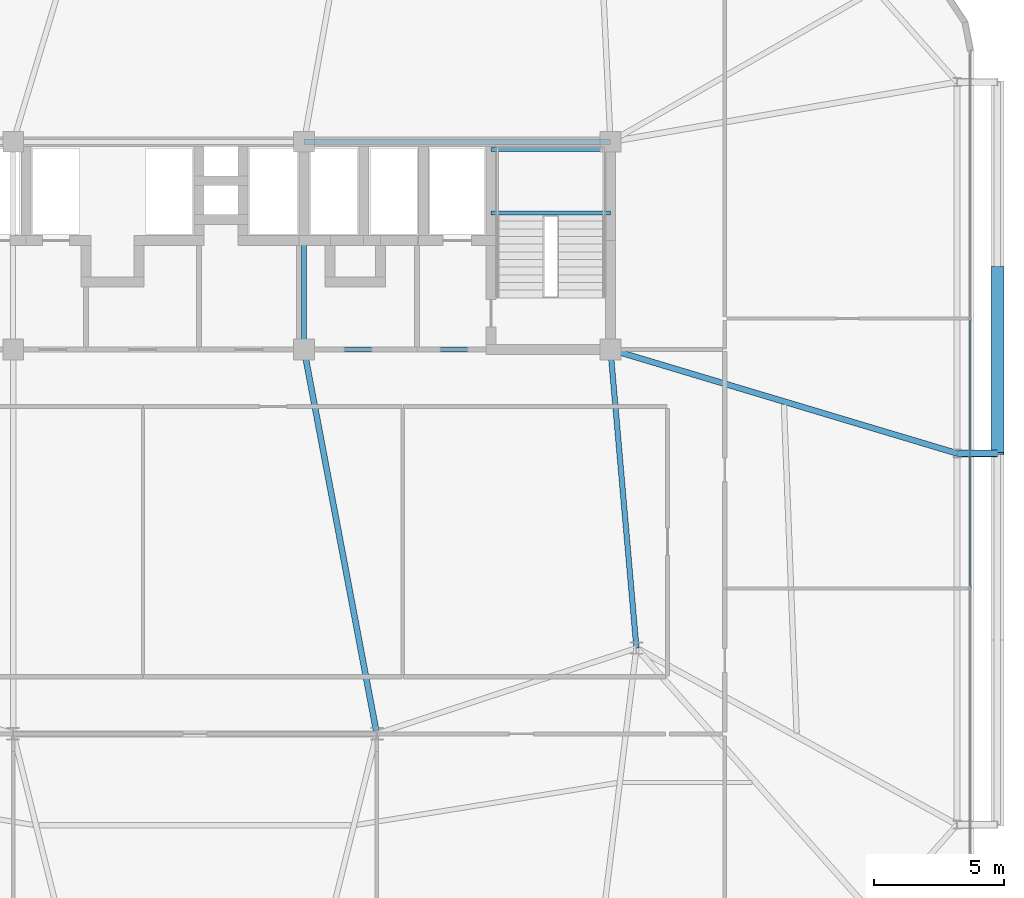
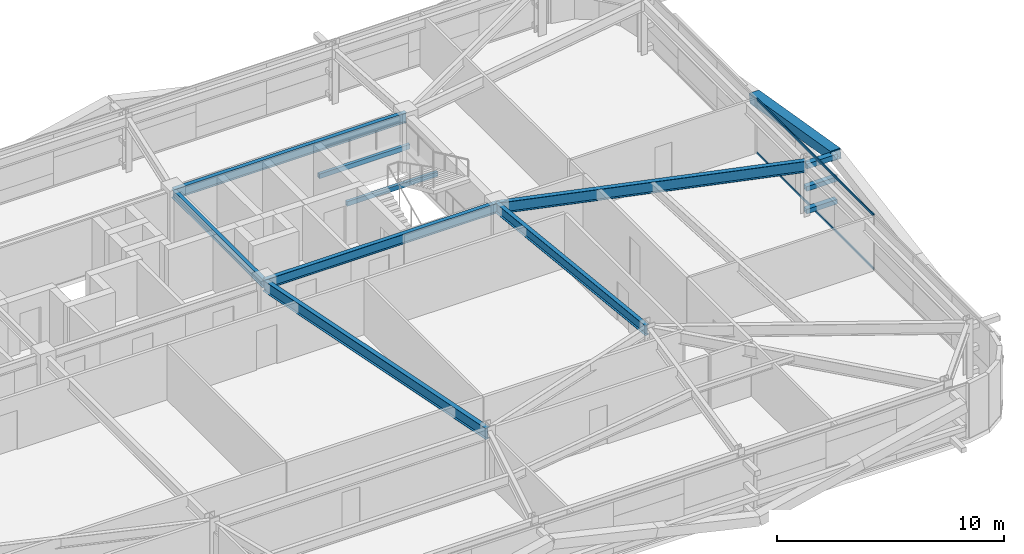
# One storey, part 18 of 44: 8 beams, 6 members, 1 element without a shape of its own.
"""IFC4 building model written with IfcOpenShell, lengths in metres."""

from ifc_helpers import new_model, si_unit, direction, frame, origin, origin_2d, place, context, subcontext, project, spatial, hollow_rectangle, i_section, extrude, source, transform, mapped, material, layer, layer_set, material_profile, profile_set, type_object, element, aggregate, save


model = new_model("IFC4")

# Units and contexts
model_context = context("Model", 3, precision=1e-05, world=origin(), true_north=direction((0.0, 1.0)))
body_context = subcontext(model_context, "Body", "Model", "MODEL_VIEW")
ifc_project = project(units=[si_unit("LENGTHUNIT", "METRE"), si_unit("AREAUNIT", "SQUARE_METRE"), si_unit("VOLUMEUNIT", "CUBIC_METRE"), si_unit("PLANEANGLEUNIT", "RADIAN"), si_unit("MASSUNIT", "GRAM", prefix="KILO")], contexts=[model_context])

# Site, building, storey
site_placement = place(None, origin())
site = spatial("IfcSite", under=ifc_project, at=site_placement, CompositionType="ELEMENT")
building_placement = place(site_placement, origin())
building = spatial("IfcBuilding", under=site, at=building_placement, Name="Taldren Reach Tower", CompositionType="ELEMENT")
storey_placement = place(building_placement, frame((0.0, 0.0, 42.0)))
storey = spatial("IfcBuildingStorey", under=building, at=storey_placement, Name="L12", CompositionType="ELEMENT", Elevation=42.0)

# Beams
ifc_material_1 = material(Name="Steel Gr 350 (350PLUS)", Category="steel")
ifc_material_profile_1 = material_profile(ifc_material_1, i_section(OverallWidth=0.208984375, OverallDepth=0.532958984375, WebThickness=0.01025390625, FlangeThickness=0.015625, at=origin_2d()), Name="530UB92.4")
ifc_profile_set_1 = profile_set([ifc_material_profile_1], Name="Steel Gr 350 (350PLUS)")
beam_type_1 = type_object("IfcBeamType", Name="BM-UB530A", PredefinedType="BEAM", material=ifc_profile_set_1)
shared_shape_1 = source(origin(), body_context, "Body", "SweptSolid", [
    extrude(i_section(OverallWidth=0.208984375, OverallDepth=0.532958984375, WebThickness=0.01025390625, FlangeThickness=0.015625, at=origin_2d()), origin(), (0.0, 0.0, 1.0), 11.800048828125),
])
for number, where, z_axis, x_axis, name in (
    (1, (39.199951171875, 24.0, 2.66357421875), (1.0, 0.0, 0.0), (0.0, 1.0, 0.0), "Core-spine girder L12-SP03"),
    (2, (39.199951171875, 32.0, 2.66357421875), (1.0, 0.0, 0.0), (0.0, 1.0, 0.0), "Core-spine girder L12-SP06"),
):
    element("IfcBeam", number, at=place(storey_placement, frame(where, z_axis=z_axis, x_axis=x_axis)), inside=storey, type_object=beam_type_1, Name=name, PredefinedType="BEAM", context=body_context, shape_type="MappedRepresentation", body=[
        mapped(shared_shape_1, transform((0.0, 0.0, 0.0), scale=1.0)),
    ])
ifc_material_profile_2 = material_profile(ifc_material_1, i_section(OverallWidth=0.19091796875, OverallDepth=0.4599609375, WebThickness=0.010009765625, FlangeThickness=0.01611328125, at=origin_2d()), Name="460UB82.1")
ifc_profile_set_2 = profile_set([ifc_material_profile_2], Name="Steel Gr 350 (350PLUS)")
beam_type_2 = type_object("IfcBeamType", Name="BM-UB460A", PredefinedType="BEAM", material=ifc_profile_set_2)
shared_shape_2 = source(origin(), body_context, "Body", "SweptSolid", [
    extrude(i_section(OverallWidth=0.19091796875, OverallDepth=0.4599609375, WebThickness=0.010009765625, FlangeThickness=0.01611328125, at=origin_2d()), origin(), (0.0, 0.0, 1.0), 8.0),
])
beam_1_placement = place(storey_placement, frame((39.199951171875, 24.0, 2.699951171875), z_axis=(0.0, 1.0, 0.0), x_axis=(-1.0, 0.0, 0.0)))
element("IfcBeam", 3, at=beam_1_placement, inside=storey, type_object=beam_type_2, Name="Core-spine girder L12-SP08", PredefinedType="BEAM", context=body_context, shape_type="MappedRepresentation", body=[
    mapped(shared_shape_2, transform((0.0, 0.0, 0.0), scale=1.0)),
])
shared_shape_3 = source(origin(), body_context, "Body", "SweptSolid", [
    extrude(i_section(OverallWidth=0.208984375, OverallDepth=0.532958984375, WebThickness=0.01025390625, FlangeThickness=0.015625, at=origin_2d()), origin(), (0.0, 0.0, 1.0), 11.54345703125),
])
beam_2_placement = place(storey_placement, frame((52.0, 12.5, 2.66357421875), z_axis=(-0.086629616365, 0.996240588196, 0.0), x_axis=(-0.996240588196, -0.086629616365, 0.0)))
element("IfcBeam", 4, at=beam_2_placement, inside=storey, type_object=beam_type_1, Name="Core-spine girder L12-SP13", PredefinedType="BEAM", context=body_context, shape_type="MappedRepresentation", body=[
    mapped(shared_shape_3, transform((0.0, 0.0, 0.0), scale=1.0)),
])
ifc_material_profile_3 = material_profile(ifc_material_1, i_section(OverallWidth=0.22802734375, OverallDepth=0.60205078125, WebThickness=0.010498046875, FlangeThickness=0.014892578125, at=origin_2d()), Name="610UB101")
ifc_profile_set_3 = profile_set([ifc_material_profile_3], Name="Steel Gr 350 (350PLUS)")
beam_type_3 = type_object("IfcBeamType", Name="BM-UB610B", PredefinedType="BEAM", material=ifc_profile_set_3)
shared_shape_4 = source(origin(), body_context, "Body", "SweptSolid", [
    extrude(i_section(OverallWidth=0.22802734375, OverallDepth=0.60205078125, WebThickness=0.010498046875, FlangeThickness=0.014892578125, at=origin_2d()), origin(), (0.0, 0.0, 1.0), 15.0625),
])
beam_3_placement = place(storey_placement, frame((39.199951171875, 24.0, 2.62890625), z_axis=(0.185894205668, -0.982569765614, 0.0), x_axis=(0.982569765614, 0.185894205668, 0.0)))
element("IfcBeam", 5, at=beam_3_placement, inside=storey, type_object=beam_type_3, Name="Core-spine girder L12-SP15", PredefinedType="BEAM", context=body_context, shape_type="MappedRepresentation", body=[
    mapped(shared_shape_4, transform((0.0, 0.0, 0.0), scale=1.0)),
])
shared_shape_5 = source(origin(), body_context, "Body", "SweptSolid", [
    extrude(i_section(OverallWidth=0.22802734375, OverallDepth=0.60205078125, WebThickness=0.010498046875, FlangeThickness=0.014892578125, at=origin_2d()), origin(), (0.0, 0.0, 1.0), 13.9365234375),
])
beam_4_placement = place(storey_placement, frame((51.0, 24.0, 2.62890625), z_axis=(0.957925550891, -0.287016792104, 0.0), x_axis=(0.287016792104, 0.957925550891, 0.0)))
element("IfcBeam", 6, at=beam_4_placement, inside=storey, type_object=beam_type_3, Name="Primary floor girder B1-E2 L12", PredefinedType="BEAM", context=body_context, shape_type="MappedRepresentation", body=[
    mapped(shared_shape_5, transform((0.0, 0.0, 0.0), scale=1.0)),
])

# Members
ifc_material_2 = material(Name="Steel Gr 450 (C450L0)", Category="steel")
ifc_material_profile_4 = material_profile(ifc_material_2, hollow_rectangle(XDim=0.27490234375, YDim=0.27490234375, WallThickness=0.00927734375, at=origin_2d()), Name="275x275x9.3SHS")
ifc_profile_set_4 = profile_set([ifc_material_profile_4], Name="Steel Gr 450 (C450L0)")
member_type_1 = type_object("IfcMemberType", Name="MB-TIE273", PredefinedType="STRUT", material=ifc_profile_set_4)
shared_shape_6 = source(origin(), body_context, "Body", "SweptSolid", [
    extrude(hollow_rectangle(XDim=0.27490234375, YDim=0.27490234375, WallThickness=0.00927734375, at=origin_2d()), origin(), (0.0, 0.0, 1.0), 1.5498046875),
])
member_1_placement = place(storey_placement, frame((64.35009765625, 20.0, 2.64990234375), z_axis=(1.0, 0.0, 0.0), x_axis=(0.0, 1.0, 0.0)))
element("IfcMember", 7, at=member_1_placement, inside=storey, type_object=member_type_1, Name="Exoskeleton diaphragm tie strut B1-E2 L12", PredefinedType="STRUT", context=body_context, shape_type="MappedRepresentation", body=[
    mapped(shared_shape_6, transform((0.0, 0.0, 0.0), scale=1.0)),
])
ifc_material_3 = material(Name="Steel Gr 350 (C350L0)", Category="steel")
ifc_material_profile_5 = material_profile(ifc_material_3, hollow_rectangle(XDim=0.25, YDim=0.25, WallThickness=0.010009765625, at=origin_2d()), Name="250x250x10.0SHS")
ifc_profile_set_5 = profile_set([ifc_material_profile_5], Name="Steel Gr 350 (C350L0)")
member_type_2 = type_object("IfcMemberType", Name="MB-POST250", PredefinedType="POST", material=ifc_profile_set_5)
shared_shape_7 = source(origin(), body_context, "Body", "SweptSolid", [
    extrude(hollow_rectangle(XDim=0.25, YDim=0.25, WallThickness=0.010009765625, at=origin_2d()), origin(), (0.0, 0.0, 1.0), 1.5498046875),
])
for number, where, z_axis, x_axis, name in (
    (8, (64.35009765625, 20.0, 0.219970703125), (1.0, 0.0, 0.0), (0.0, 1.0, 0.0), "Exoskeleton base diaphragm tie strut B1-E2 L12"),
    (9, (64.35009765625, 20.0, 1.43505859375), (1.0, 0.0, 0.0), (0.0, 1.0, 0.0), "Exoskeleton mid-tier diaphragm tie B1-E2 L12"),
):
    element("IfcMember", number, at=place(storey_placement, frame(where, z_axis=z_axis, x_axis=x_axis)), inside=storey, type_object=member_type_2, Name=name, PredefinedType="POST", context=body_context, shape_type="MappedRepresentation", body=[
        mapped(shared_shape_7, transform((0.0, 0.0, 0.0), scale=1.0)),
    ])
ifc_material_profile_6 = material_profile(ifc_material_2, hollow_rectangle(XDim=0.510009765625, YDim=0.510009765625, WallThickness=0.02001953125, at=origin_2d()), Name="510x510x20.0SHS")
ifc_profile_set_6 = profile_set([ifc_material_profile_6], Name="Steel Gr 450 (C450L0)")
member_type_3 = type_object("IfcMemberType", Name="MB-EXO508", PredefinedType="BRACE", material=ifc_profile_set_6)
shared_shape_8 = source(origin(), body_context, "Body", "SweptSolid", [
    extrude(hollow_rectangle(XDim=0.510009765625, YDim=0.510009765625, WallThickness=0.02001953125, at=origin_2d()), origin(), (0.0, 0.0, 1.0), 7.25244140625),
])
member_2_placement = place(storey_placement, frame((65.89990234375, 27.14990234375, 1.43505859375), z_axis=(0.0, -0.985870415536, 0.167509772168), x_axis=(1.0, 0.0, 0.0)))
element("IfcMember", 10, at=member_2_placement, inside=storey, type_object=member_type_3, Name="Exoskeleton Diagrid Brace B1-E2 L12", PredefinedType="BRACE", context=body_context, shape_type="MappedRepresentation", body=[
    mapped(shared_shape_8, transform((0.0, 0.0, 0.0), scale=1.0)),
])

# Curtain wall, members
ifc_material_4 = material(Name="Aluminium and Low-E Glass Unitised System", Category="aluminium")
ifc_layer = layer(ifc_material_4, 0.159912109375)
ifc_layer_set = layer_set([ifc_layer], Name="Aluminium and Low-E Glass Unitised System")
curtain_wall_type = type_object("IfcCurtainWallType", Name="CW-SYS-2", PredefinedType="NOTDEFINED", material=ifc_layer_set)
curtain_wall_placement = place(storey_placement, origin())
curtain_wall = element("IfcCurtainWall", 11, at=curtain_wall_placement, inside=storey, type_object=curtain_wall_type, Name="Unitised curtain wall CW-L12-E", PredefinedType="NOTDEFINED")
ifc_material_5 = material(Name="Anodised Aluminium 6063-T6", Category="aluminium")
ifc_material_profile_7 = material_profile(ifc_material_5, hollow_rectangle(XDim=0.054931640625, YDim=0.1201171875, WallThickness=0.0029296875, at=origin_2d()), Name="ALU-120x55x3RHS")
ifc_profile_set_7 = profile_set([ifc_material_profile_7], Name="Anodised Aluminium 6063-T6")
member_type_4 = type_object("IfcMemberType", Name="CW-TRN-135", PredefinedType="USERDEFINED", material=ifc_profile_set_7)
shared_shape_9 = source(origin(), body_context, "Body", "SweptSolid", [
    extrude(hollow_rectangle(XDim=0.054931640625, YDim=0.1201171875, WallThickness=0.0029296875, at=origin_2d()), origin(), (0.0, 0.0, 1.0), 10.2685546875),
])
member_3_placement = place(storey_placement, frame((64.860107421875, 14.86572265625, 0.027587890625), z_axis=(0.0, 1.0, 0.0), x_axis=(-1.0, 0.0, 0.0)))
member_3 = element("IfcMember", 12, at=member_3_placement, type_object=member_type_4, Name="CW-2 transom 2.1", ObjectType="TRANSOM", PredefinedType="USERDEFINED", context=body_context, shape_type="MappedRepresentation", body=[
    mapped(shared_shape_9, transform((0.0, 0.0, 0.0), scale=1.0)),
])
member_4_placement = place(storey_placement, frame((64.860107421875, 14.86572265625, 2.902587890625), z_axis=(0.0, 1.0, 0.0), x_axis=(-1.0, 0.0, 0.0)))
member_4 = element("IfcMember", 13, at=member_4_placement, type_object=member_type_4, Name="CW-2 transom 2.2", ObjectType="TRANSOM", PredefinedType="USERDEFINED", context=body_context, shape_type="MappedRepresentation", body=[
    mapped(shared_shape_9, transform((0.0, 0.0, 0.0), scale=1.0)),
])
aggregate(curtain_wall, [member_3, member_4])

# Beams
ifc_material_profile_8 = material_profile(ifc_material_3, hollow_rectangle(XDim=0.14990234375, YDim=0.25, WallThickness=0.009033203125, at=origin_2d()), Name="250x150x9.0RHS")
ifc_profile_set_8 = profile_set([ifc_material_profile_8], Name="Steel Gr 350 (C350L0)")
beam_type_4 = type_object("IfcBeamType", Name="LN-RHS250", PredefinedType="LINTEL", material=ifc_profile_set_8)
shared_shape_10 = source(origin(), body_context, "Body", "SweptSolid", [
    extrude(hollow_rectangle(XDim=0.14990234375, YDim=0.25, WallThickness=0.009033203125, at=origin_2d()), origin(), (0.0, 0.0, 1.0), 4.60009765625),
])
for number, where, z_axis, x_axis, name in (
    (14, (46.39990234375, 29.2548828125, 1.27001953125), (1.0, 0.0, 0.0), (0.0, 1.0, 0.0), "Stair half-landing support beam ST2-L12-1"),
    (15, (46.39990234375, 31.699951171875, 1.27001953125), (1.0, 0.0, 0.0), (0.0, 1.0, 0.0), "Stair half-landing support beam ST2-L12-2"),
):
    element("IfcBeam", number, at=place(storey_placement, frame(where, z_axis=z_axis, x_axis=x_axis)), inside=storey, type_object=beam_type_4, Name=name, PredefinedType="LINTEL", context=body_context, shape_type="MappedRepresentation", body=[
        mapped(shared_shape_10, transform((0.0, 0.0, 0.0), scale=1.0)),
    ])

save(model, "model.ifc")
